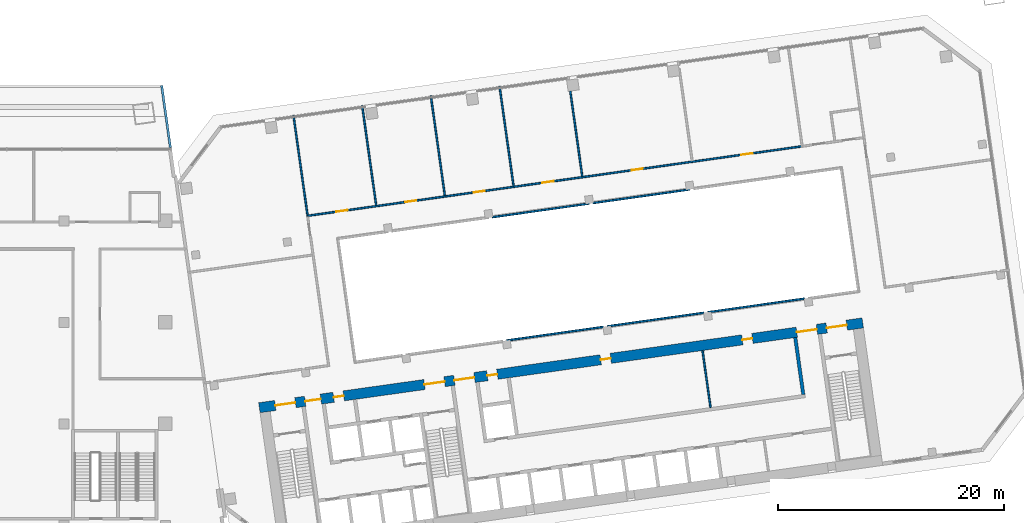
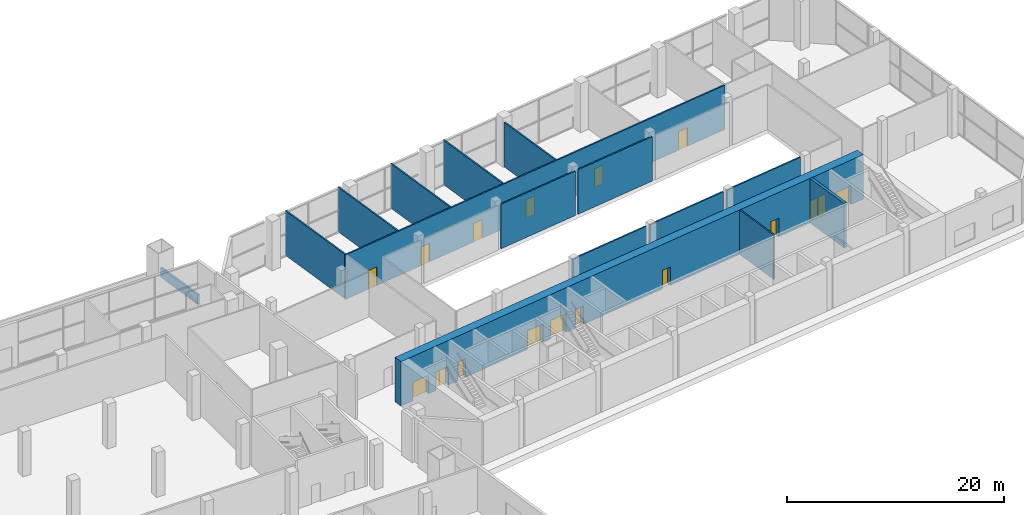
# One storey, part 17 of 23: 16 doors, 15 walls, 16 openings.
"""IFC4 building model written with IfcOpenShell, lengths in metres."""

from ifc_helpers import new_model, si_unit, direction, frame, frame_2d, origin, place, context, subcontext, project, spatial, rectangle, extrude, material, layer, layer_set, type_object, element, fill, save


model = new_model("IFC4")

# Units and contexts
model_context = context("Model", 3, precision=1e-05, world=origin(), true_north=direction((0.0, 1.0)))
body_context = subcontext(model_context, "Body", "Model", "MODEL_VIEW")
ifc_project = project(units=[si_unit("LENGTHUNIT", "METRE"), si_unit("AREAUNIT", "SQUARE_METRE"), si_unit("VOLUMEUNIT", "CUBIC_METRE"), si_unit("PLANEANGLEUNIT", "RADIAN"), si_unit("MASSUNIT", "GRAM", prefix="KILO")], contexts=[model_context])

# Site, building, storey
site_placement = place(None, origin())
site = spatial("IfcSite", under=ifc_project, at=site_placement, CompositionType="ELEMENT")
building_placement = place(site_placement, origin())
building = spatial("IfcBuilding", under=site, at=building_placement, Name="Mirante Cascada Hotel Towers", CompositionType="ELEMENT")
storey_placement = place(building_placement, frame((0.0, 0.0, 23.5)))
storey = spatial("IfcBuildingStorey", under=building, at=storey_placement, Name="L03", CompositionType="ELEMENT", Elevation=23.5)

# Wall
ifc_material_1 = material(Name="Masonry block", Category="masonry")
ifc_layer_1 = layer(ifc_material_1, 0.15)
ifc_layer_set_1 = layer_set([ifc_layer_1], Name="Core room partition 150 block EI 30")
wall_type_1 = type_object("IfcWallType", Name="Core room partition 150 block EI 30", PredefinedType="PARTITIONING", material=ifc_layer_set_1)
wall_1_placement = place(storey_placement, frame((75.3131, -7.5476, 0.0), z_axis=(0.0, 0.0, 1.0), x_axis=(-0.1391782, 0.9902673, 0.0)))
element("IfcWall", 1, at=wall_1_placement, inside=storey, type_object=wall_type_1, Name="Core wall partition T2 L03 5", PredefinedType="PARTITIONING", context=body_context, shape_type="SweptSolid", body=[
    extrude(rectangle(XDim=5.0999, YDim=0.15, at=frame_2d((2.55, 0.0))), origin(), (0.0, 0.0, 1.0), 5.0),
])

# Wall, openings, doors
ifc_material_2 = material(Name="Masonry block", Category="masonry")
ifc_layer_2 = layer(ifc_material_2, 0.15)
ifc_layer_set_2 = layer_set([ifc_layer_2], Name="Corridor wall 150 block")
wall_type_2 = type_object("IfcWallType", Name="Corridor wall 150 block", PredefinedType="PARTITIONING", material=ifc_layer_set_2)
wall_2_placement = place(storey_placement, frame((39.526, 9.4371, 0.0), z_axis=(0.0, 0.0, 1.0), x_axis=(0.9902681, 0.1391729, 0.0)))
wall_2 = element("IfcWall", 2, at=wall_2_placement, inside=storey, type_object=wall_type_2, Name="Corridor wall T2 L03", PredefinedType="PARTITIONING", context=body_context, shape_type="SweptSolid", body=[
    extrude(rectangle(XDim=44.2766, YDim=0.15, at=frame_2d((22.1383, 0.0))), origin(), (0.0, 0.0, 1.0), 5.0),
])
opening_1_placement = place(wall_2_placement, frame((2.649, 0.0, 0.0)))
opening_1 = element("IfcOpeningElement", 3, at=opening_1_placement, cuts=wall_2, Name="Opening DP2-L03-05", PredefinedType="OPENING", context=body_context, shape_type="SweptSolid", body=[
    extrude(rectangle(XDim=1.0, YDim=2.1, at=frame_2d((0.5, 1.05))), frame((0.0, 0.075, 0.0), z_axis=(0.0, -1.0, 0.0), x_axis=(1.0, 0.0, 0.0)), (0.0, 0.0, 1.0), 0.15),
])
opening_2_placement = place(wall_2_placement, frame((8.7972, 0.0, 0.0)))
opening_2 = element("IfcOpeningElement", 4, at=opening_2_placement, cuts=wall_2, Name="Opening DP2-L03-06", PredefinedType="OPENING", context=body_context, shape_type="SweptSolid", body=[
    extrude(rectangle(XDim=1.0, YDim=2.1, at=frame_2d((0.5, 1.05))), frame((0.0, 0.075, 0.0), z_axis=(0.0, -1.0, 0.0), x_axis=(1.0, 0.0, 0.0)), (0.0, 0.0, 1.0), 0.15),
])
opening_3_placement = place(wall_2_placement, frame((14.9453, 0.0, 0.0)))
opening_3 = element("IfcOpeningElement", 5, at=opening_3_placement, cuts=wall_2, Name="Opening DP2-L03-07", PredefinedType="OPENING", context=body_context, shape_type="SweptSolid", body=[
    extrude(rectangle(XDim=1.0, YDim=2.1, at=frame_2d((0.5, 1.05))), frame((0.0, 0.075, 0.0), z_axis=(0.0, -1.0, 0.0), x_axis=(1.0, 0.0, 0.0)), (0.0, 0.0, 1.0), 0.15),
])
opening_4_placement = place(wall_2_placement, frame((21.0935, 0.0, 0.0)))
opening_4 = element("IfcOpeningElement", 6, at=opening_4_placement, cuts=wall_2, Name="Opening DP2-L03-08", PredefinedType="OPENING", context=body_context, shape_type="SweptSolid", body=[
    extrude(rectangle(XDim=1.0, YDim=2.1, at=frame_2d((0.5, 1.05))), frame((0.0, 0.075, 0.0), z_axis=(0.0, -1.0, 0.0), x_axis=(1.0, 0.0, 0.0)), (0.0, 0.0, 1.0), 0.15),
])
opening_5_placement = place(wall_2_placement, frame((29.0861, 0.0, 0.0)))
opening_5 = element("IfcOpeningElement", 7, at=opening_5_placement, cuts=wall_2, Name="Opening DP2-L03-09", PredefinedType="OPENING", context=body_context, shape_type="SweptSolid", body=[
    extrude(rectangle(XDim=1.0, YDim=2.1, at=frame_2d((0.5, 1.05))), frame((0.0, 0.075, 0.0), z_axis=(0.0, -1.0, 0.0), x_axis=(1.0, 0.0, 0.0)), (0.0, 0.0, 1.0), 0.15),
])
opening_6_placement = place(wall_2_placement, frame((38.8906, 0.0, 0.0)))
opening_6 = element("IfcOpeningElement", 8, at=opening_6_placement, cuts=wall_2, Name="Opening DP2-L03-10", PredefinedType="OPENING", context=body_context, shape_type="SweptSolid", body=[
    extrude(rectangle(XDim=1.0, YDim=2.1, at=frame_2d((0.5, 1.05))), frame((0.0, 0.075, 0.0), z_axis=(0.0, -1.0, 0.0), x_axis=(1.0, 0.0, 0.0)), (0.0, 0.0, 1.0), 0.15),
])
ifc_material_3 = material(Name="Timber door leaf", Category="wood")
door_type_1 = type_object("IfcDoorType", Name="Single door 1000x2100", OperationType="NOTDEFINED", PredefinedType="DOOR", material=ifc_material_3)
door_1_placement = place(opening_1_placement, origin())
door_1 = element("IfcDoor", 9, at=door_1_placement, inside=storey, type_object=door_type_1, Name="Door DP2-L03-05", OperationType="SINGLE_SWING_LEFT", OverallHeight=2.1, OverallWidth=1.0, PredefinedType="DOOR", context=body_context, shape_type="SweptSolid", body=[
    extrude(rectangle(XDim=1.0, YDim=2.1, at=frame_2d((0.5, 1.05))), frame((0.0, 0.025, 0.0), z_axis=(0.0, -1.0, 0.0), x_axis=(1.0, 0.0, 0.0)), (0.0, 0.0, 1.0), 0.05),
])
fill(opening_1, door_1)
door_2_placement = place(opening_2_placement, origin())
door_2 = element("IfcDoor", 10, at=door_2_placement, inside=storey, type_object=door_type_1, Name="Door DP2-L03-06", OperationType="SINGLE_SWING_RIGHT", OverallHeight=2.1, OverallWidth=1.0, PredefinedType="DOOR", context=body_context, shape_type="SweptSolid", body=[
    extrude(rectangle(XDim=1.0, YDim=2.1, at=frame_2d((0.5, 1.05))), frame((0.0, 0.025, 0.0), z_axis=(0.0, -1.0, 0.0), x_axis=(1.0, 0.0, 0.0)), (0.0, 0.0, 1.0), 0.05),
])
fill(opening_2, door_2)
door_3_placement = place(opening_3_placement, origin())
door_3 = element("IfcDoor", 11, at=door_3_placement, inside=storey, type_object=door_type_1, Name="Door DP2-L03-07", OperationType="SINGLE_SWING_LEFT", OverallHeight=2.1, OverallWidth=1.0, PredefinedType="DOOR", context=body_context, shape_type="SweptSolid", body=[
    extrude(rectangle(XDim=1.0, YDim=2.1, at=frame_2d((0.5, 1.05))), frame((0.0, 0.025, 0.0), z_axis=(0.0, -1.0, 0.0), x_axis=(1.0, 0.0, 0.0)), (0.0, 0.0, 1.0), 0.05),
])
fill(opening_3, door_3)
door_4_placement = place(opening_4_placement, origin())
door_4 = element("IfcDoor", 12, at=door_4_placement, inside=storey, type_object=door_type_1, Name="Door DP2-L03-08", OperationType="SINGLE_SWING_RIGHT", OverallHeight=2.1, OverallWidth=1.0, PredefinedType="DOOR", context=body_context, shape_type="SweptSolid", body=[
    extrude(rectangle(XDim=1.0, YDim=2.1, at=frame_2d((0.5, 1.05))), frame((0.0, 0.025, 0.0), z_axis=(0.0, -1.0, 0.0), x_axis=(1.0, 0.0, 0.0)), (0.0, 0.0, 1.0), 0.05),
])
fill(opening_4, door_4)
door_5_placement = place(opening_5_placement, origin())
door_5 = element("IfcDoor", 13, at=door_5_placement, inside=storey, type_object=door_type_1, Name="Door DP2-L03-09", OperationType="SINGLE_SWING_LEFT", OverallHeight=2.1, OverallWidth=1.0, PredefinedType="DOOR", context=body_context, shape_type="SweptSolid", body=[
    extrude(rectangle(XDim=1.0, YDim=2.1, at=frame_2d((0.5, 1.05))), frame((0.0, 0.025, 0.0), z_axis=(0.0, -1.0, 0.0), x_axis=(1.0, 0.0, 0.0)), (0.0, 0.0, 1.0), 0.05),
])
fill(opening_5, door_5)
door_6_placement = place(opening_6_placement, frame((1.0, 0.0, 0.0), z_axis=(0.0, 0.0, 1.0), x_axis=(-1.0, 0.0, 0.0)))
door_6 = element("IfcDoor", 14, at=door_6_placement, inside=storey, type_object=door_type_1, Name="Door DP2-L03-10", OperationType="SINGLE_SWING_RIGHT", OverallHeight=2.1, OverallWidth=1.0, PredefinedType="DOOR", context=body_context, shape_type="SweptSolid", body=[
    extrude(rectangle(XDim=1.0, YDim=2.1, at=frame_2d((0.5, 1.05))), frame((0.0, 0.025, 0.0), z_axis=(0.0, -1.0, 0.0), x_axis=(1.0, 0.0, 0.0)), (0.0, 0.0, 1.0), 0.05),
])
fill(opening_6, door_6)

# Walls
for number, where, z_axis, x_axis, name in (
    (15, (57.2347, -1.6058, 0.0), (0.0, 0.0, 1.0), (0.9902682, 0.139172, 0.0), "Corridor wall T2 L03"),
    (16, (66.1471, -0.3533, 0.0), (0.0, 0.0, 1.0), (0.9902682, 0.139172, 0.0), "Corridor wall T2 L03"),
    (17, (75.0595, 0.8993, 0.0), (0.0, 0.0, 1.0), (0.9902682, 0.139172, 0.0), "Corridor wall T2 L03"),
    (18, (55.9808, 9.3261, 0.0), (0.0, 0.0, 1.0), (0.9902682, 0.139172, 0.0), "Corridor wall T2 L03"),
    (19, (64.8932, 10.5786, 0.0), (0.0, 0.0, 1.0), (0.9902682, 0.139172, 0.0), "Corridor wall T2 L03"),
):
    element("IfcWall", number, at=place(storey_placement, frame(where, z_axis=z_axis, x_axis=x_axis)), inside=storey, type_object=wall_type_2, Name=name, PredefinedType="PARTITIONING", context=body_context, shape_type="SweptSolid", body=[
        extrude(rectangle(XDim=8.6713, YDim=0.15, at=frame_2d((4.3356, 0.0))), origin(), (0.0, 0.0, 1.0), 5.0),
    ])
ifc_material_4 = material(Name="Masonry block", Category="masonry")
ifc_layer_3 = layer(ifc_material_4, 0.15)
ifc_layer_set_3 = layer_set([ifc_layer_3], Name="Partition 150 block")
wall_type_3 = type_object("IfcWallType", Name="Partition 150 block", PredefinedType="PARTITIONING", material=ifc_layer_set_3)
wall_3_placement = place(storey_placement, frame((38.3477, 18.3599, 0.0), z_axis=(0.0, 0.0, 1.0), x_axis=(0.1391725, -0.9902682, 0.0)))
element("IfcWall", 20, at=wall_3_placement, inside=storey, type_object=wall_type_3, Name="Partition T2 L03", PredefinedType="PARTITIONING", context=body_context, shape_type="SweptSolid", body=[
    extrude(rectangle(XDim=8.935, YDim=0.15, at=frame_2d((4.4675, 0.0))), origin(), (0.0, 0.0, 1.0), 5.0),
])
wall_4_placement = place(storey_placement, frame((44.436, 19.2156, 0.0), z_axis=(0.0, 0.0, 1.0), x_axis=(0.13917, -0.9902685, 0.0)))
element("IfcWall", 21, at=wall_4_placement, inside=storey, type_object=wall_type_3, Name="Partition T2 L03", PredefinedType="PARTITIONING", context=body_context, shape_type="SweptSolid", body=[
    extrude(rectangle(XDim=8.9251, YDim=0.15, at=frame_2d((4.4626, 0.0))), origin(), (0.0, 0.0, 1.0), 5.0),
])
wall_5_placement = place(storey_placement, frame((50.5243, 20.0712, 0.0), z_axis=(0.0, 0.0, 1.0), x_axis=(0.1391716, -0.9902683, 0.0)))
element("IfcWall", 22, at=wall_5_placement, inside=storey, type_object=wall_type_3, Name="Partition T2 L03", PredefinedType="PARTITIONING", context=body_context, shape_type="SweptSolid", body=[
    extrude(rectangle(XDim=8.925, YDim=0.15, at=frame_2d((4.4625, 0.0))), origin(), (0.0, 0.0, 1.0), 5.0),
])
wall_6_placement = place(storey_placement, frame((56.6126, 20.9269, 0.0), z_axis=(0.0, 0.0, 1.0), x_axis=(0.139181, -0.990267, 0.0)))
element("IfcWall", 23, at=wall_6_placement, inside=storey, type_object=wall_type_3, Name="Partition T2 L03", PredefinedType="PARTITIONING", context=body_context, shape_type="SweptSolid", body=[
    extrude(rectangle(XDim=8.9251, YDim=0.15, at=frame_2d((4.4626, 0.0))), origin(), (0.0, 0.0, 1.0), 5.0),
])
wall_7_placement = place(storey_placement, frame((62.8765, 20.5331, 0.0), z_axis=(0.0, 0.0, 1.0), x_axis=(0.1391831, -0.9902667, 0.0)))
element("IfcWall", 24, at=wall_7_placement, inside=storey, type_object=wall_type_3, Name="Partition T2 L03", PredefinedType="PARTITIONING", context=body_context, shape_type="SweptSolid", body=[
    extrude(rectangle(XDim=7.6633, YDim=0.15, at=frame_2d((3.8316, 0.0))), origin(), (0.0, 0.0, 1.0), 5.0),
])
ifc_material_5 = material(Name="Concrete C50/60", Category="concrete")
ifc_layer_4 = layer(ifc_material_5, 0.3)
ifc_layer_set_4 = layer_set([ifc_layer_4], Name="RC core wall 300 C50/60")
wall_type_4 = type_object("IfcWallType", Name="RC core wall 300 C50/60", PredefinedType="SHEAR", material=ifc_layer_set_4)
wall_8_placement = place(storey_placement, frame((83.5323, -6.3925, 0.0), z_axis=(0.0, 0.0, 1.0), x_axis=(-0.1391755, 0.9902677, 0.0)))
element("IfcWall", 25, at=wall_8_placement, inside=storey, type_object=wall_type_4, Name="Core wall T2:L03:36", PredefinedType="SHEAR", context=body_context, shape_type="SweptSolid", body=[
    extrude(rectangle(XDim=5.1, YDim=0.3, at=frame_2d((2.55, 0.0))), origin(), (0.0, 0.0, 1.0), 5.0),
])

# Wall, openings, doors
ifc_material_6 = material(Name="Concrete C50/60", Category="concrete")
ifc_layer_5 = layer(ifc_material_6, 0.9)
ifc_layer_set_5 = layer_set([ifc_layer_5], Name="RC core wall 900 C50/60")
wall_type_5 = type_object("IfcWallType", Name="RC core wall 900 C50/60", PredefinedType="SHEAR", material=ifc_layer_set_5)
wall_9_placement = place(storey_placement, frame((35.326, -7.5629, 0.0), z_axis=(0.0, 0.0, 1.0), x_axis=(0.9902679, 0.139174, 0.0)))
wall_9 = element("IfcWall", 26, at=wall_9_placement, inside=storey, type_object=wall_type_5, Name="Core wall T2:L03:2", PredefinedType="SHEAR", context=body_context, shape_type="SweptSolid", body=[
    extrude(rectangle(XDim=54.0, YDim=0.9, at=frame_2d((27.0, 0.0))), origin(), (0.0, 0.0, 1.0), 5.0),
])
opening_7_placement = place(wall_9_placement, frame((1.425, 0.0, 0.0)))
opening_7 = element("IfcOpeningElement", 27, at=opening_7_placement, cuts=wall_9, Name="Opening D2-03-C17", PredefinedType="OPENING", context=body_context, shape_type="SweptSolid", body=[
    extrude(rectangle(XDim=1.8, YDim=2.1, at=frame_2d((0.9, 1.05))), frame((0.0, 0.45, 0.0), z_axis=(0.0, -1.0, 0.0), x_axis=(1.0, 0.0, 0.0)), (0.0, 0.0, 1.0), 0.9),
])
opening_8_placement = place(wall_9_placement, frame((14.775, 0.0, 0.0)))
opening_8 = element("IfcOpeningElement", 28, at=opening_8_placement, cuts=wall_9, Name="Opening D2-03-C19", PredefinedType="OPENING", context=body_context, shape_type="SweptSolid", body=[
    extrude(rectangle(XDim=1.8, YDim=2.1, at=frame_2d((0.9, 1.05))), frame((0.0, 0.45, 0.0), z_axis=(0.0, -1.0, 0.0), x_axis=(1.0, 0.0, 0.0)), (0.0, 0.0, 1.0), 0.9),
])
opening_9_placement = place(wall_9_placement, frame((50.775, 0.0, 0.0)))
opening_9 = element("IfcOpeningElement", 29, at=opening_9_placement, cuts=wall_9, Name="Opening D2-03-C21", PredefinedType="OPENING", context=body_context, shape_type="SweptSolid", body=[
    extrude(rectangle(XDim=1.8, YDim=2.1, at=frame_2d((0.9, 1.05))), frame((0.0, 0.45, 0.0), z_axis=(0.0, -1.0, 0.0), x_axis=(1.0, 0.0, 0.0)), (0.0, 0.0, 1.0), 0.9),
])
opening_10_placement = place(wall_9_placement, frame((4.1, 0.0, 0.0)))
opening_10 = element("IfcOpeningElement", 30, at=opening_10_placement, cuts=wall_9, Name="Opening D2-03-C22", PredefinedType="OPENING", context=body_context, shape_type="SweptSolid", body=[
    extrude(rectangle(XDim=1.4, YDim=2.1, at=frame_2d((0.7, 1.05))), frame((0.0, 0.45, 0.0), z_axis=(0.0, -1.0, 0.0), x_axis=(1.0, 0.0, 0.0)), (0.0, 0.0, 1.0), 0.9),
])
opening_11_placement = place(wall_9_placement, frame((17.45, 0.0, 0.0)))
opening_11 = element("IfcOpeningElement", 31, at=opening_11_placement, cuts=wall_9, Name="Opening D2-03-C23", PredefinedType="OPENING", context=body_context, shape_type="SweptSolid", body=[
    extrude(rectangle(XDim=1.8, YDim=2.1, at=frame_2d((0.9, 1.05))), frame((0.0, 0.45, 0.0), z_axis=(0.0, -1.0, 0.0), x_axis=(1.0, 0.0, 0.0)), (0.0, 0.0, 1.0), 0.9),
])
opening_12_placement = place(wall_9_placement, frame((48.1, 0.0, 0.0)))
opening_12 = element("IfcOpeningElement", 32, at=opening_12_placement, cuts=wall_9, Name="Opening D2-03-C24", PredefinedType="OPENING", context=body_context, shape_type="SweptSolid", body=[
    extrude(rectangle(XDim=1.8, YDim=2.1, at=frame_2d((0.9, 1.05))), frame((0.0, 0.45, 0.0), z_axis=(0.0, -1.0, 0.0), x_axis=(1.0, 0.0, 0.0)), (0.0, 0.0, 1.0), 0.9),
])
opening_13_placement = place(wall_9_placement, frame((6.65, 0.0, 0.0)))
opening_13 = element("IfcOpeningElement", 33, at=opening_13_placement, cuts=wall_9, Name="Opening D2-03-C27", PredefinedType="OPENING", context=body_context, shape_type="SweptSolid", body=[
    extrude(rectangle(XDim=0.9, YDim=2.1, at=frame_2d((0.45, 1.05))), frame((0.0, 0.45, 0.0), z_axis=(0.0, -1.0, 0.0), x_axis=(1.0, 0.0, 0.0)), (0.0, 0.0, 1.0), 0.9),
])
opening_14_placement = place(wall_9_placement, frame((20.4, 0.0, 0.0)))
opening_14 = element("IfcOpeningElement", 34, at=opening_14_placement, cuts=wall_9, Name="Opening D2-03-C30", PredefinedType="OPENING", context=body_context, shape_type="SweptSolid", body=[
    extrude(rectangle(XDim=0.9, YDim=2.1, at=frame_2d((0.45, 1.05))), frame((0.0, 0.45, 0.0), z_axis=(0.0, -1.0, 0.0), x_axis=(1.0, 0.0, 0.0)), (0.0, 0.0, 1.0), 0.9),
])
opening_15_placement = place(wall_9_placement, frame((30.55, 0.0, 0.0)))
opening_15 = element("IfcOpeningElement", 35, at=opening_15_placement, cuts=wall_9, Name="Opening D2-03-C31", PredefinedType="OPENING", context=body_context, shape_type="SweptSolid", body=[
    extrude(rectangle(XDim=0.9, YDim=2.1, at=frame_2d((0.45, 1.05))), frame((0.0, 0.45, 0.0), z_axis=(0.0, -1.0, 0.0), x_axis=(1.0, 0.0, 0.0)), (0.0, 0.0, 1.0), 0.9),
])
opening_16_placement = place(wall_9_placement, frame((43.225, 0.0, 0.0)))
opening_16 = element("IfcOpeningElement", 36, at=opening_16_placement, cuts=wall_9, Name="Opening D2-03-C32", PredefinedType="OPENING", context=body_context, shape_type="SweptSolid", body=[
    extrude(rectangle(XDim=0.9, YDim=2.1, at=frame_2d((0.45, 1.05))), frame((0.0, 0.45, 0.0), z_axis=(0.0, -1.0, 0.0), x_axis=(1.0, 0.0, 0.0)), (0.0, 0.0, 1.0), 0.9),
])
ifc_material_7 = material(Name="Hollow metal fire door leaf")
door_type_2 = type_object("IfcDoorType", Name="Double fire door 1400x2100 FD60", OperationType="DOUBLE_DOOR_SINGLE_SWING", PredefinedType="DOOR", material=ifc_material_7)
door_7_placement = place(opening_10_placement, origin())
door_7 = element("IfcDoor", 37, at=door_7_placement, inside=storey, type_object=door_type_2, Name="Exit door to gallery T2 L03 22", OperationType="DOUBLE_DOOR_SINGLE_SWING", OverallHeight=2.1, OverallWidth=1.4, PredefinedType="DOOR", context=body_context, shape_type="SweptSolid", body=[
    extrude(rectangle(XDim=0.695, YDim=2.1, at=frame_2d((0.3475, 1.05))), frame((0.0, 0.025, 0.0), z_axis=(0.0, -1.0, 0.0), x_axis=(1.0, 0.0, 0.0)), (0.0, 0.0, 1.0), 0.05),
    extrude(rectangle(XDim=0.695, YDim=2.1, at=frame_2d((1.0525, 1.05))), frame((0.0, 0.025, 0.0), z_axis=(0.0, -1.0, 0.0), x_axis=(1.0, 0.0, 0.0)), (0.0, 0.0, 1.0), 0.05),
])
fill(opening_10, door_7)
ifc_material_8 = material(Name="Hollow metal fire door leaf")
door_type_3 = type_object("IfcDoorType", Name="Double fire door 1800x2100 FD60", OperationType="DOUBLE_DOOR_SINGLE_SWING", PredefinedType="DOOR", material=ifc_material_8)
door_8_placement = place(opening_7_placement, frame((1.8, 0.0, 0.0), z_axis=(0.0, 0.0, 1.0), x_axis=(-1.0, 0.0, 0.0)))
door_8 = element("IfcDoor", 38, at=door_8_placement, inside=storey, type_object=door_type_3, Name="Exit door to gallery T2 L03 17", OperationType="DOUBLE_DOOR_SINGLE_SWING", OverallHeight=2.1, OverallWidth=1.8, PredefinedType="DOOR", context=body_context, shape_type="SweptSolid", body=[
    extrude(rectangle(XDim=0.895, YDim=2.1, at=frame_2d((0.4475, 1.05))), frame((0.0, 0.025, 0.0), z_axis=(0.0, -1.0, 0.0), x_axis=(1.0, 0.0, 0.0)), (0.0, 0.0, 1.0), 0.05),
    extrude(rectangle(XDim=0.895, YDim=2.1, at=frame_2d((1.3525, 1.05))), frame((0.0, 0.025, 0.0), z_axis=(0.0, -1.0, 0.0), x_axis=(1.0, 0.0, 0.0)), (0.0, 0.0, 1.0), 0.05),
])
fill(opening_7, door_8)
door_9_placement = place(opening_8_placement, frame((1.8, 0.0, 0.0), z_axis=(0.0, 0.0, 1.0), x_axis=(-1.0, 0.0, 0.0)))
door_9 = element("IfcDoor", 39, at=door_9_placement, inside=storey, type_object=door_type_3, Name="Exit door to gallery T2 L03 19", OperationType="DOUBLE_DOOR_SINGLE_SWING", OverallHeight=2.1, OverallWidth=1.8, PredefinedType="DOOR", context=body_context, shape_type="SweptSolid", body=[
    extrude(rectangle(XDim=0.895, YDim=2.1, at=frame_2d((0.4475, 1.05))), frame((0.0, 0.025, 0.0), z_axis=(0.0, -1.0, 0.0), x_axis=(1.0, 0.0, 0.0)), (0.0, 0.0, 1.0), 0.05),
    extrude(rectangle(XDim=0.895, YDim=2.1, at=frame_2d((1.3525, 1.05))), frame((0.0, 0.025, 0.0), z_axis=(0.0, -1.0, 0.0), x_axis=(1.0, 0.0, 0.0)), (0.0, 0.0, 1.0), 0.05),
])
fill(opening_8, door_9)
door_10_placement = place(opening_9_placement, frame((1.8, 0.0, 0.0), z_axis=(0.0, 0.0, 1.0), x_axis=(-1.0, 0.0, 0.0)))
door_10 = element("IfcDoor", 40, at=door_10_placement, inside=storey, type_object=door_type_3, Name="Exit door to gallery T2 L03 21", OperationType="DOUBLE_DOOR_SINGLE_SWING", OverallHeight=2.1, OverallWidth=1.8, PredefinedType="DOOR", context=body_context, shape_type="SweptSolid", body=[
    extrude(rectangle(XDim=0.895, YDim=2.1, at=frame_2d((0.4475, 1.05))), frame((0.0, 0.025, 0.0), z_axis=(0.0, -1.0, 0.0), x_axis=(1.0, 0.0, 0.0)), (0.0, 0.0, 1.0), 0.05),
    extrude(rectangle(XDim=0.895, YDim=2.1, at=frame_2d((1.3525, 1.05))), frame((0.0, 0.025, 0.0), z_axis=(0.0, -1.0, 0.0), x_axis=(1.0, 0.0, 0.0)), (0.0, 0.0, 1.0), 0.05),
])
fill(opening_9, door_10)
door_11_placement = place(opening_11_placement, origin())
door_11 = element("IfcDoor", 41, at=door_11_placement, inside=storey, type_object=door_type_3, Name="Exit door to gallery T2 L03 23", OperationType="DOUBLE_DOOR_SINGLE_SWING", OverallHeight=2.1, OverallWidth=1.8, PredefinedType="DOOR", context=body_context, shape_type="SweptSolid", body=[
    extrude(rectangle(XDim=0.895, YDim=2.1, at=frame_2d((0.4475, 1.05))), frame((0.0, 0.025, 0.0), z_axis=(0.0, -1.0, 0.0), x_axis=(1.0, 0.0, 0.0)), (0.0, 0.0, 1.0), 0.05),
    extrude(rectangle(XDim=0.895, YDim=2.1, at=frame_2d((1.3525, 1.05))), frame((0.0, 0.025, 0.0), z_axis=(0.0, -1.0, 0.0), x_axis=(1.0, 0.0, 0.0)), (0.0, 0.0, 1.0), 0.05),
])
fill(opening_11, door_11)
door_12_placement = place(opening_12_placement, origin())
door_12 = element("IfcDoor", 42, at=door_12_placement, inside=storey, type_object=door_type_3, Name="Exit door to gallery T2 L03 24", OperationType="DOUBLE_DOOR_SINGLE_SWING", OverallHeight=2.1, OverallWidth=1.8, PredefinedType="DOOR", context=body_context, shape_type="SweptSolid", body=[
    extrude(rectangle(XDim=0.895, YDim=2.1, at=frame_2d((0.4475, 1.05))), frame((0.0, 0.025, 0.0), z_axis=(0.0, -1.0, 0.0), x_axis=(1.0, 0.0, 0.0)), (0.0, 0.0, 1.0), 0.05),
    extrude(rectangle(XDim=0.895, YDim=2.1, at=frame_2d((1.3525, 1.05))), frame((0.0, 0.025, 0.0), z_axis=(0.0, -1.0, 0.0), x_axis=(1.0, 0.0, 0.0)), (0.0, 0.0, 1.0), 0.05),
])
fill(opening_12, door_12)
ifc_material_9 = material(Name="Hollow metal fire door leaf")
door_type_4 = type_object("IfcDoorType", Name="Fire door 900x2100 FD60", OperationType="NOTDEFINED", PredefinedType="DOOR", material=ifc_material_9)
door_13_placement = place(opening_13_placement, frame((0.9, 0.0, 0.0), z_axis=(0.0, 0.0, 1.0), x_axis=(-1.0, 0.0, 0.0)))
door_13 = element("IfcDoor", 43, at=door_13_placement, inside=storey, type_object=door_type_4, Name="Room door T2 L03 27", OperationType="SINGLE_SWING_LEFT", OverallHeight=2.1, OverallWidth=0.9, PredefinedType="DOOR", context=body_context, shape_type="SweptSolid", body=[
    extrude(rectangle(XDim=0.9, YDim=2.1, at=frame_2d((0.45, 1.05))), frame((0.0, 0.025, 0.0), z_axis=(0.0, -1.0, 0.0), x_axis=(1.0, 0.0, 0.0)), (0.0, 0.0, 1.0), 0.05),
])
fill(opening_13, door_13)
door_14_placement = place(opening_14_placement, frame((0.9, 0.0, 0.0), z_axis=(0.0, 0.0, 1.0), x_axis=(-1.0, 0.0, 0.0)))
door_14 = element("IfcDoor", 44, at=door_14_placement, inside=storey, type_object=door_type_4, Name="Room door T2 L03 30", OperationType="SINGLE_SWING_LEFT", OverallHeight=2.1, OverallWidth=0.9, PredefinedType="DOOR", context=body_context, shape_type="SweptSolid", body=[
    extrude(rectangle(XDim=0.9, YDim=2.1, at=frame_2d((0.45, 1.05))), frame((0.0, 0.025, 0.0), z_axis=(0.0, -1.0, 0.0), x_axis=(1.0, 0.0, 0.0)), (0.0, 0.0, 1.0), 0.05),
])
fill(opening_14, door_14)
door_15_placement = place(opening_15_placement, frame((0.9, 0.0, 0.0), z_axis=(0.0, 0.0, 1.0), x_axis=(-1.0, 0.0, 0.0)))
door_15 = element("IfcDoor", 45, at=door_15_placement, inside=storey, type_object=door_type_4, Name="Room door T2 L03 31", OperationType="SINGLE_SWING_RIGHT", OverallHeight=2.1, OverallWidth=0.9, PredefinedType="DOOR", context=body_context, shape_type="SweptSolid", body=[
    extrude(rectangle(XDim=0.9, YDim=2.1, at=frame_2d((0.45, 1.05))), frame((0.0, 0.025, 0.0), z_axis=(0.0, -1.0, 0.0), x_axis=(1.0, 0.0, 0.0)), (0.0, 0.0, 1.0), 0.05),
])
fill(opening_15, door_15)
door_16_placement = place(opening_16_placement, frame((0.9, 0.0, 0.0), z_axis=(0.0, 0.0, 1.0), x_axis=(-1.0, 0.0, 0.0)))
door_16 = element("IfcDoor", 46, at=door_16_placement, inside=storey, type_object=door_type_4, Name="Room door T2 L03 32", OperationType="SINGLE_SWING_RIGHT", OverallHeight=2.1, OverallWidth=0.9, PredefinedType="DOOR", context=body_context, shape_type="SweptSolid", body=[
    extrude(rectangle(XDim=0.9, YDim=2.1, at=frame_2d((0.45, 1.05))), frame((0.0, 0.025, 0.0), z_axis=(0.0, -1.0, 0.0), x_axis=(1.0, 0.0, 0.0)), (0.0, 0.0, 1.0), 0.05),
])
fill(opening_16, door_16)

# Wall
ifc_material_10 = material(Name="Precast concrete C40/50", Category="concrete")
ifc_layer_6 = layer(ifc_material_10, 0.2)
ifc_layer_set_6 = layer_set([ifc_layer_6], Name="Terrace parapet wall 200 concrete C40/50")
wall_type_6 = type_object("IfcWallType", Name="Terrace parapet wall 200 concrete C40/50", PredefinedType="PARAPET", material=ifc_layer_set_6)
wall_10_placement = place(storey_placement, frame((27.4415, 15.4861, 0.0), z_axis=(0.0, 0.0, 1.0), x_axis=(-0.1391776, 0.9902674, 0.0)))
element("IfcWall", 47, at=wall_10_placement, inside=storey, type_object=wall_type_6, Name="Terrace parapet podium L02 1.2.1", PredefinedType="PARAPET", context=body_context, shape_type="SweptSolid", body=[
    extrude(rectangle(XDim=5.5541, YDim=0.2, at=frame_2d((2.777, 0.0))), origin(), (0.0, 0.0, 1.0), 1.1),
])

save(model, "model.ifc")
